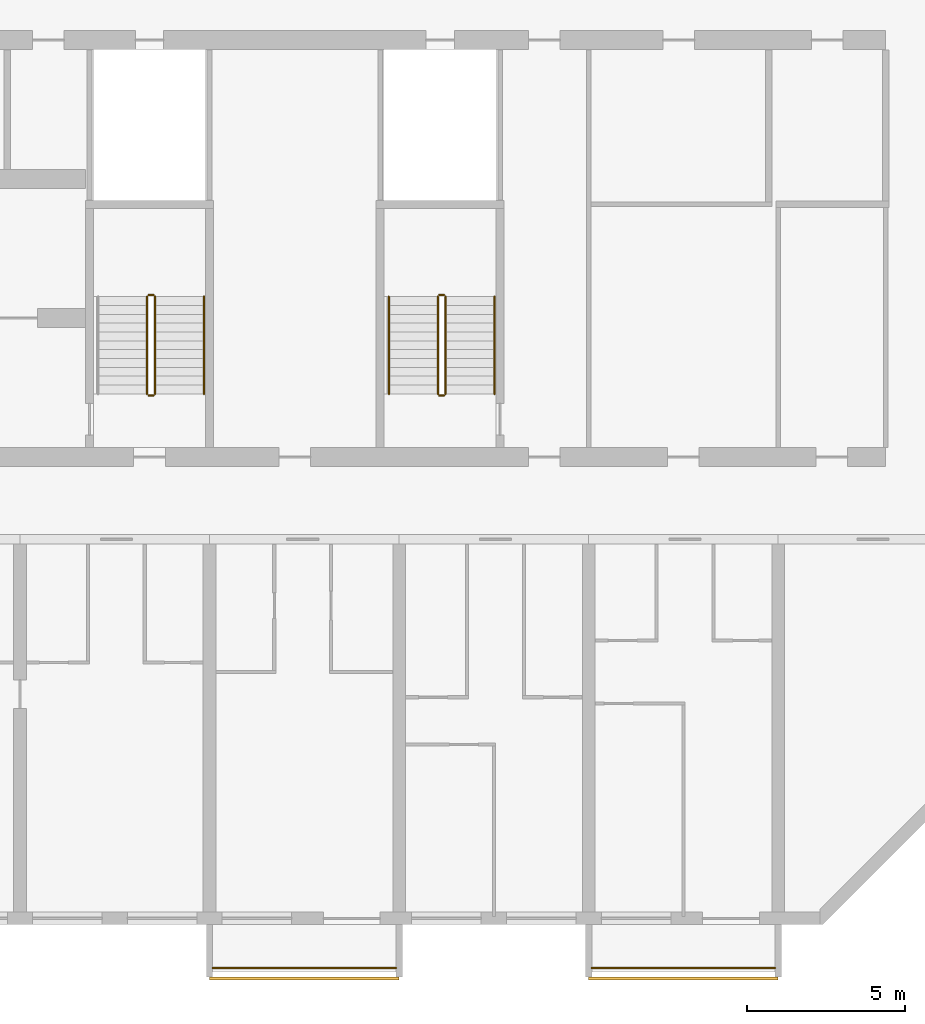
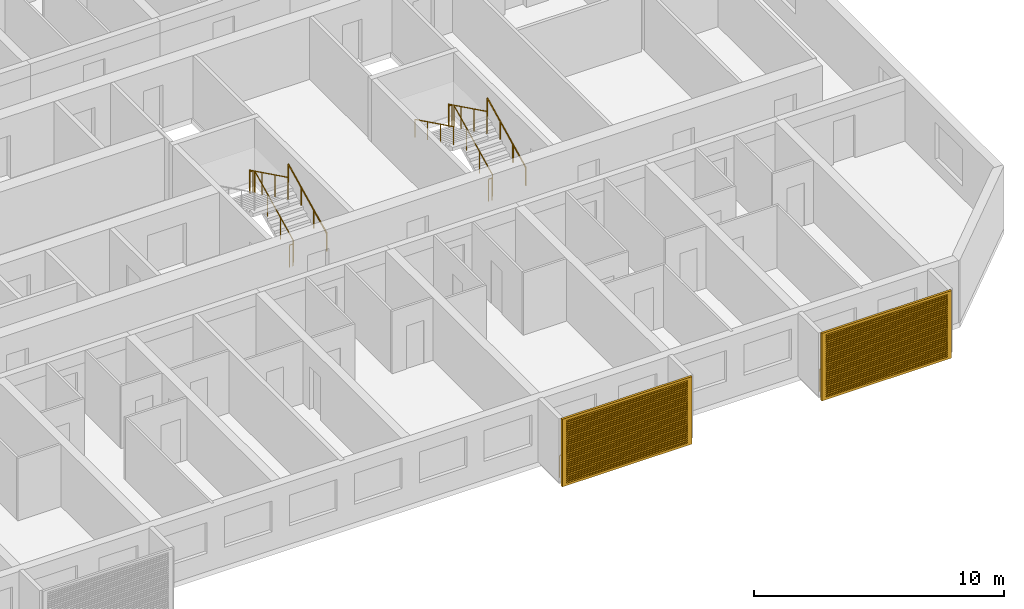
# One storey, part 35 of 39: 13 railings, 2 shading devices.
"""IFC4 building model written with IfcOpenShell, lengths in metres."""

from ifc_helpers import new_model, si_unit, direction, frame, origin, origin_2d, place, context, subcontext, project, spatial, polyline, circle, outline, extrude, source, transform, mapped, material, material_profile, profile_set, type_object, element, save


model = new_model("IFC4")

# Units and contexts
model_context = context("Model", 3, precision=1e-05, world=origin(), true_north=direction((0.0, 1.0)))
body_context = subcontext(model_context, "Body", "Model", "MODEL_VIEW")
ifc_project = project(units=[si_unit("LENGTHUNIT", "METRE"), si_unit("AREAUNIT", "SQUARE_METRE"), si_unit("VOLUMEUNIT", "CUBIC_METRE"), si_unit("PLANEANGLEUNIT", "RADIAN"), si_unit("MASSUNIT", "GRAM", prefix="KILO")], contexts=[model_context])

# Site, building, storey
site_placement = place(None, origin())
site = spatial("IfcSite", under=ifc_project, at=site_placement, CompositionType="ELEMENT")
building_placement = place(site_placement, origin())
building = spatial("IfcBuilding", under=site, at=building_placement, Name="Poui Terraces", CompositionType="ELEMENT")
storey_placement = place(building_placement, frame((0.0, 0.0, 59.699951171875)))
storey = spatial("IfcBuildingStorey", under=building, at=storey_placement, Name="L16", CompositionType="ELEMENT", Elevation=59.699951171875)

# Railings
ifc_material_1 = material(Name="Painted steel fretwork", Category="steel")
railing_type_1 = type_object("IfcRailingType", Name="BALCONY GUARD 1100", PredefinedType="GUARDRAIL", material=ifc_material_1)
for number, where, name in (
    (1, (72.10009765625, -1.570068359375, 0.0), "BALCONY GUARD"),
    (2, (84.10009765625, -1.570068359375, 0.0), "BALCONY GUARD"),
):
    element("IfcRailing", number, at=place(storey_placement, frame(where)), inside=storey, type_object=railing_type_1, Name=name, PredefinedType="GUARDRAIL", context=body_context, shape_type="SweptSolid", body=[
        extrude(circle(Radius=0.02392578125, at=origin_2d()), frame((0.0, 0.0, 1.076171875), z_axis=(1.0, 0.0, 0.0), x_axis=(0.0, 1.0, 0.0)), (0.0, 0.0, 1.0), 5.7998046875),
        extrude(circle(Radius=0.02099609375, at=origin_2d()), origin(), (0.0, 0.0, 1.0), 1.052001953125),
        extrude(circle(Radius=0.02099609375, at=origin_2d()), frame((0.966552734375, 0.0, 0.0)), (0.0, 0.0, 1.0), 1.052001953125),
        extrude(circle(Radius=0.02099609375, at=origin_2d()), frame((1.933349609375, 0.0, 0.0)), (0.0, 0.0, 1.0), 1.052001953125),
        extrude(circle(Radius=0.02099609375, at=origin_2d()), frame((2.89990234375, 0.0, 0.0)), (0.0, 0.0, 1.0), 1.052001953125),
        extrude(circle(Radius=0.02099609375, at=origin_2d()), frame((3.866455078125, 0.0, 0.0)), (0.0, 0.0, 1.0), 1.052001953125),
        extrude(circle(Radius=0.02099609375, at=origin_2d()), frame((4.833251953125, 0.0, 0.0)), (0.0, 0.0, 1.0), 1.052001953125),
        extrude(circle(Radius=0.02099609375, at=origin_2d()), frame((5.7998046875, 0.0, 0.0)), (0.0, 0.0, 1.0), 1.052001953125),
    ])
ifc_material_2 = material(Name="Galvanised steel balustrade", Category="steel")
railing_type_2 = type_object("IfcRailingType", Name="STAIR GUARD 1100", PredefinedType="GUARDRAIL", material=ifc_material_2)
railing_1_placement = place(storey_placement, frame((70.27490234375, 16.60009765625, 0.137451171875)))
element("IfcRailing", 3, at=railing_1_placement, inside=storey, type_object=railing_type_2, Name="L16 ST-CE stair guard 1", PredefinedType="GUARDRAIL", context=body_context, shape_type="SweptSolid", body=[
    extrude(circle(Radius=0.02392578125, at=origin_2d()), frame((0.0, 0.0, 1.076171875), z_axis=(0.0, 0.897578036475, 0.440855609512), x_axis=(-1.0, 0.0, 0.0)), (0.0, 0.0, 1.0), 3.43115234375),
    extrude(circle(Radius=0.02099609375, at=origin_2d()), origin(), (0.0, 0.0, 1.0), 1.052001953125),
    extrude(circle(Radius=0.02099609375, at=origin_2d()), frame((0.0, 1.026611328125, 0.504150390625)), (0.0, 0.0, 1.0), 1.052001953125),
    extrude(circle(Radius=0.02099609375, at=origin_2d()), frame((0.0, 2.05322265625, 1.008544921875)), (0.0, 0.0, 1.0), 1.052001953125),
    extrude(circle(Radius=0.02099609375, at=origin_2d()), frame((0.0, 3.079833984375, 1.5126953125)), (0.0, 0.0, 1.0), 1.052001953125),
])
railing_2_placement = place(storey_placement, frame((70.22509765625, 19.72998046875, 1.650146484375)))
element("IfcRailing", 4, at=railing_2_placement, inside=storey, type_object=railing_type_2, Name="L16 ST-CE stair guard 2", PredefinedType="GUARDRAIL", context=body_context, shape_type="SweptSolid", body=[
    extrude(circle(Radius=0.02392578125, at=origin_2d()), frame((0.0, 0.0, 1.076171875), z_axis=(-1.0, 0.0, 0.0), x_axis=(0.0, -1.0, 0.0)), (0.0, 0.0, 1.0), 0.150146484375),
    extrude(circle(Radius=0.02099609375, at=origin_2d()), origin(), (0.0, 0.0, 1.0), 1.052001953125),
    extrude(circle(Radius=0.02099609375, at=origin_2d()), frame((-0.150146484375, 0.0, 0.0)), (0.0, 0.0, 1.0), 1.052001953125),
])
railing_3_placement = place(storey_placement, frame((70.02490234375, 19.679931640625, 1.78759765625)))
element("IfcRailing", 5, at=railing_3_placement, inside=storey, type_object=railing_type_2, Name="L16 ST-CE stair guard 3", PredefinedType="GUARDRAIL", context=body_context, shape_type="SweptSolid", body=[
    extrude(circle(Radius=0.02392578125, at=origin_2d()), frame((0.0, 0.0, 1.076171875), z_axis=(0.0, -0.897606190399, 0.440798283751), x_axis=(1.0, 0.0, 0.0)), (0.0, 0.0, 1.0), 3.43115234375),
    extrude(circle(Radius=0.02099609375, at=origin_2d()), origin(), (0.0, 0.0, 1.0), 1.052001953125),
    extrude(circle(Radius=0.02099609375, at=origin_2d()), frame((0.0, -1.026611328125, 0.504150390625)), (0.0, 0.0, 1.0), 1.052001953125),
    extrude(circle(Radius=0.02099609375, at=origin_2d()), frame((0.0, -2.05322265625, 1.00830078125)), (0.0, 0.0, 1.0), 1.052001953125),
    extrude(circle(Radius=0.02099609375, at=origin_2d()), frame((0.0, -3.079833984375, 1.512451171875)), (0.0, 0.0, 1.0), 1.052001953125),
])
railing_4_placement = place(storey_placement, frame((70.22509765625, 16.550048828125, 0.0)))
element("IfcRailing", 6, at=railing_4_placement, inside=storey, type_object=railing_type_2, Name="L16 ST-CE stair guard 4", PredefinedType="GUARDRAIL", context=body_context, shape_type="SweptSolid", body=[
    extrude(circle(Radius=0.02392578125, at=origin_2d()), frame((0.0, 0.0, 1.076171875), z_axis=(-1.0, 0.0, 0.0), x_axis=(0.0, -1.0, 0.0)), (0.0, 0.0, 1.0), 0.150146484375),
    extrude(circle(Radius=0.02099609375, at=origin_2d()), origin(), (0.0, 0.0, 1.0), 1.052001953125),
    extrude(circle(Radius=0.02099609375, at=origin_2d()), frame((-0.150146484375, 0.0, 0.0)), (0.0, 0.0, 1.0), 1.052001953125),
])
railing_5_placement = place(storey_placement, frame((79.47509765625, 16.60009765625, 0.137451171875)))
element("IfcRailing", 7, at=railing_5_placement, inside=storey, type_object=railing_type_2, Name="L16 ST-E stair guard 1", PredefinedType="GUARDRAIL", context=body_context, shape_type="SweptSolid", body=[
    extrude(circle(Radius=0.02392578125, at=origin_2d()), frame((0.0, 0.0, 1.076171875), z_axis=(0.0, 0.897578036475, 0.440855609512), x_axis=(-1.0, 0.0, 0.0)), (0.0, 0.0, 1.0), 3.43115234375),
    extrude(circle(Radius=0.02099609375, at=origin_2d()), origin(), (0.0, 0.0, 1.0), 1.052001953125),
    extrude(circle(Radius=0.02099609375, at=origin_2d()), frame((0.0, 1.026611328125, 0.504150390625)), (0.0, 0.0, 1.0), 1.052001953125),
    extrude(circle(Radius=0.02099609375, at=origin_2d()), frame((0.0, 2.05322265625, 1.008544921875)), (0.0, 0.0, 1.0), 1.052001953125),
    extrude(circle(Radius=0.02099609375, at=origin_2d()), frame((0.0, 3.079833984375, 1.5126953125)), (0.0, 0.0, 1.0), 1.052001953125),
])
railing_6_placement = place(storey_placement, frame((79.425048828125, 19.72998046875, 1.650146484375)))
element("IfcRailing", 8, at=railing_6_placement, inside=storey, type_object=railing_type_2, Name="L16 ST-E stair guard 2", PredefinedType="GUARDRAIL", context=body_context, shape_type="SweptSolid", body=[
    extrude(circle(Radius=0.02392578125, at=origin_2d()), frame((0.0, 0.0, 1.076171875), z_axis=(-1.0, 0.0, 0.0), x_axis=(0.0, -1.0, 0.0)), (0.0, 0.0, 1.0), 0.150146484375),
    extrude(circle(Radius=0.02099609375, at=origin_2d()), origin(), (0.0, 0.0, 1.0), 1.052001953125),
    extrude(circle(Radius=0.02099609375, at=origin_2d()), frame((-0.150146484375, 0.0, 0.0)), (0.0, 0.0, 1.0), 1.052001953125),
])
railing_7_placement = place(storey_placement, frame((79.22509765625, 19.679931640625, 1.78759765625)))
element("IfcRailing", 9, at=railing_7_placement, inside=storey, type_object=railing_type_2, Name="L16 ST-E stair guard 3", PredefinedType="GUARDRAIL", context=body_context, shape_type="SweptSolid", body=[
    extrude(circle(Radius=0.02392578125, at=origin_2d()), frame((0.0, 0.0, 1.076171875), z_axis=(0.0, -0.897606190399, 0.440798283751), x_axis=(1.0, 0.0, 0.0)), (0.0, 0.0, 1.0), 3.43115234375),
    extrude(circle(Radius=0.02099609375, at=origin_2d()), origin(), (0.0, 0.0, 1.0), 1.052001953125),
    extrude(circle(Radius=0.02099609375, at=origin_2d()), frame((0.0, -1.026611328125, 0.504150390625)), (0.0, 0.0, 1.0), 1.052001953125),
    extrude(circle(Radius=0.02099609375, at=origin_2d()), frame((0.0, -2.05322265625, 1.00830078125)), (0.0, 0.0, 1.0), 1.052001953125),
    extrude(circle(Radius=0.02099609375, at=origin_2d()), frame((0.0, -3.079833984375, 1.512451171875)), (0.0, 0.0, 1.0), 1.052001953125),
])
railing_8_placement = place(storey_placement, frame((79.425048828125, 16.550048828125, 0.0)))
element("IfcRailing", 10, at=railing_8_placement, inside=storey, type_object=railing_type_2, Name="L16 ST-E stair guard 4", PredefinedType="GUARDRAIL", context=body_context, shape_type="SweptSolid", body=[
    extrude(circle(Radius=0.02392578125, at=origin_2d()), frame((0.0, 0.0, 1.076171875), z_axis=(-1.0, 0.0, 0.0), x_axis=(0.0, -1.0, 0.0)), (0.0, 0.0, 1.0), 0.150146484375),
    extrude(circle(Radius=0.02099609375, at=origin_2d()), origin(), (0.0, 0.0, 1.0), 1.052001953125),
    extrude(circle(Radius=0.02099609375, at=origin_2d()), frame((-0.150146484375, 0.0, 0.0)), (0.0, 0.0, 1.0), 1.052001953125),
])
ifc_material_3 = material(Name="Stainless steel handrail", Category="steel")
railing_type_3 = type_object("IfcRailingType", Name="STAIR HANDRAIL 900", PredefinedType="HANDRAIL", material=ifc_material_3)
for number, where, name in (
    (11, (71.824951171875, 16.60009765625, 0.137451171875), "L16 ST-CE stair handrail 1"),
    (12, (81.02490234375, 16.60009765625, 0.137451171875), "L16 ST-E stair handrail 1"),
):
    element("IfcRailing", number, at=place(storey_placement, frame(where)), inside=storey, type_object=railing_type_3, Name=name, PredefinedType="HANDRAIL", context=body_context, shape_type="SweptSolid", body=[
        extrude(circle(Radius=0.02392578125, at=origin_2d()), frame((0.0, 0.0, 0.8759765625), z_axis=(0.0, 0.897578036475, 0.440855609512), x_axis=(-1.0, 0.0, 0.0)), (0.0, 0.0, 1.0), 3.43115234375),
        extrude(circle(Radius=0.02099609375, at=origin_2d()), origin(), (0.0, 0.0, 1.0), 0.851806640625),
        extrude(circle(Radius=0.02099609375, at=origin_2d()), frame((0.0, 1.026611328125, 0.504150390625)), (0.0, 0.0, 1.0), 0.851806640625),
        extrude(circle(Radius=0.02099609375, at=origin_2d()), frame((0.0, 2.05322265625, 1.008544921875)), (0.0, 0.0, 1.0), 0.851806640625),
        extrude(circle(Radius=0.02099609375, at=origin_2d()), frame((0.0, 3.079833984375, 1.5126953125)), (0.0, 0.0, 1.0), 0.851806640625),
    ])
railing_9_placement = place(storey_placement, frame((77.675048828125, 19.679931640625, 1.78759765625)))
element("IfcRailing", 13, at=railing_9_placement, inside=storey, type_object=railing_type_3, Name="L16 ST-E stair handrail 2", PredefinedType="HANDRAIL", context=body_context, shape_type="SweptSolid", body=[
    extrude(circle(Radius=0.02392578125, at=origin_2d()), frame((0.0, 0.0, 0.8759765625), z_axis=(0.0, -0.897606190399, 0.440798283751), x_axis=(1.0, 0.0, 0.0)), (0.0, 0.0, 1.0), 3.43115234375),
    extrude(circle(Radius=0.02099609375, at=origin_2d()), origin(), (0.0, 0.0, 1.0), 0.851806640625),
    extrude(circle(Radius=0.02099609375, at=origin_2d()), frame((0.0, -1.026611328125, 0.504150390625)), (0.0, 0.0, 1.0), 0.851806640625),
    extrude(circle(Radius=0.02099609375, at=origin_2d()), frame((0.0, -2.05322265625, 1.00830078125)), (0.0, 0.0, 1.0), 0.851806640625),
    extrude(circle(Radius=0.02099609375, at=origin_2d()), frame((0.0, -3.079833984375, 1.512451171875)), (0.0, 0.0, 1.0), 0.851806640625),
])

# Shading devices
ifc_material_4 = material(Name="Aluminium louvre", Category="aluminium")
ifc_material_profile = material_profile(ifc_material_4, outline(polyline([(-3.0, -1.64990234375), (3.0, -1.64990234375), (3.0, 1.64990234375), (-3.0, 1.64990234375), (-3.0, -1.64990234375)]), holes=[polyline([(-2.800048828125, -1.530029296875), (2.800048828125, -1.530029296875), (2.800048828125, -1.469970703125), (-2.800048828125, -1.469970703125), (-2.800048828125, -1.530029296875)]), polyline([(-2.800048828125, -1.429931640625), (2.800048828125, -1.429931640625), (2.800048828125, -1.3701171875), (-2.800048828125, -1.3701171875), (-2.800048828125, -1.429931640625)]), polyline([(-2.800048828125, -1.330078125), (2.800048828125, -1.330078125), (2.800048828125, -1.27001953125), (-2.800048828125, -1.27001953125), (-2.800048828125, -1.330078125)]), polyline([(-2.800048828125, -1.22998046875), (2.800048828125, -1.22998046875), (2.800048828125, -1.169921875), (-2.800048828125, -1.169921875), (-2.800048828125, -1.22998046875)]), polyline([(-2.800048828125, -1.1298828125), (2.800048828125, -1.1298828125), (2.800048828125, -1.070068359375), (-2.800048828125, -1.070068359375), (-2.800048828125, -1.1298828125)]), polyline([(-2.800048828125, -1.030029296875), (2.800048828125, -1.030029296875), (2.800048828125, -0.969970703125), (-2.800048828125, -0.969970703125), (-2.800048828125, -1.030029296875)]), polyline([(-2.800048828125, -0.929931640625), (2.800048828125, -0.929931640625), (2.800048828125, -0.8701171875), (-2.800048828125, -0.8701171875), (-2.800048828125, -0.929931640625)]), polyline([(-2.800048828125, -0.830078125), (2.800048828125, -0.830078125), (2.800048828125, -0.77001953125), (-2.800048828125, -0.77001953125), (-2.800048828125, -0.830078125)]), polyline([(-2.800048828125, -0.72998046875), (2.800048828125, -0.72998046875), (2.800048828125, -0.669921875), (-2.800048828125, -0.669921875), (-2.800048828125, -0.72998046875)]), polyline([(-2.800048828125, -0.6298828125), (2.800048828125, -0.6298828125), (2.800048828125, -0.570068359375), (-2.800048828125, -0.570068359375), (-2.800048828125, -0.6298828125)]), polyline([(-2.800048828125, -0.530029296875), (2.800048828125, -0.530029296875), (2.800048828125, -0.469970703125), (-2.800048828125, -0.469970703125), (-2.800048828125, -0.530029296875)]), polyline([(-2.800048828125, -0.429931640625), (2.800048828125, -0.429931640625), (2.800048828125, -0.3701171875), (-2.800048828125, -0.3701171875), (-2.800048828125, -0.429931640625)]), polyline([(-2.800048828125, -0.330078125), (2.800048828125, -0.330078125), (2.800048828125, -0.27001953125), (-2.800048828125, -0.27001953125), (-2.800048828125, -0.330078125)]), polyline([(-2.800048828125, -0.22998046875), (2.800048828125, -0.22998046875), (2.800048828125, -0.169921875), (-2.800048828125, -0.169921875), (-2.800048828125, -0.22998046875)]), polyline([(-2.800048828125, -0.1298828125), (2.800048828125, -0.1298828125), (2.800048828125, -0.070068359375), (-2.800048828125, -0.070068359375), (-2.800048828125, -0.1298828125)]), polyline([(-2.800048828125, -0.030029296875), (2.800048828125, -0.030029296875), (2.800048828125, 0.030029296875), (-2.800048828125, 0.030029296875), (-2.800048828125, -0.030029296875)]), polyline([(-2.800048828125, 0.070068359375), (2.800048828125, 0.070068359375), (2.800048828125, 0.1298828125), (-2.800048828125, 0.1298828125), (-2.800048828125, 0.070068359375)]), polyline([(-2.800048828125, 0.169921875), (2.800048828125, 0.169921875), (2.800048828125, 0.22998046875), (-2.800048828125, 0.22998046875), (-2.800048828125, 0.169921875)]), polyline([(-2.800048828125, 0.27001953125), (2.800048828125, 0.27001953125), (2.800048828125, 0.330078125), (-2.800048828125, 0.330078125), (-2.800048828125, 0.27001953125)]), polyline([(-2.800048828125, 0.3701171875), (2.800048828125, 0.3701171875), (2.800048828125, 0.429931640625), (-2.800048828125, 0.429931640625), (-2.800048828125, 0.3701171875)]), polyline([(-2.800048828125, 0.469970703125), (2.800048828125, 0.469970703125), (2.800048828125, 0.530029296875), (-2.800048828125, 0.530029296875), (-2.800048828125, 0.469970703125)]), polyline([(-2.800048828125, 0.570068359375), (2.800048828125, 0.570068359375), (2.800048828125, 0.6298828125), (-2.800048828125, 0.6298828125), (-2.800048828125, 0.570068359375)]), polyline([(-2.800048828125, 0.669921875), (2.800048828125, 0.669921875), (2.800048828125, 0.72998046875), (-2.800048828125, 0.72998046875), (-2.800048828125, 0.669921875)]), polyline([(-2.800048828125, 0.77001953125), (2.800048828125, 0.77001953125), (2.800048828125, 0.830078125), (-2.800048828125, 0.830078125), (-2.800048828125, 0.77001953125)]), polyline([(-2.800048828125, 0.8701171875), (2.800048828125, 0.8701171875), (2.800048828125, 0.929931640625), (-2.800048828125, 0.929931640625), (-2.800048828125, 0.8701171875)]), polyline([(-2.800048828125, 0.969970703125), (2.800048828125, 0.969970703125), (2.800048828125, 1.030029296875), (-2.800048828125, 1.030029296875), (-2.800048828125, 0.969970703125)]), polyline([(-2.800048828125, 1.070068359375), (2.800048828125, 1.070068359375), (2.800048828125, 1.1298828125), (-2.800048828125, 1.1298828125), (-2.800048828125, 1.070068359375)]), polyline([(-2.800048828125, 1.169921875), (2.800048828125, 1.169921875), (2.800048828125, 1.22998046875), (-2.800048828125, 1.22998046875), (-2.800048828125, 1.169921875)]), polyline([(-2.800048828125, 1.27001953125), (2.800048828125, 1.27001953125), (2.800048828125, 1.330078125), (-2.800048828125, 1.330078125), (-2.800048828125, 1.27001953125)]), polyline([(-2.800048828125, 1.3701171875), (2.800048828125, 1.3701171875), (2.800048828125, 1.429931640625), (-2.800048828125, 1.429931640625), (-2.800048828125, 1.3701171875)]), polyline([(-2.800048828125, 1.469970703125), (2.800048828125, 1.469970703125), (2.800048828125, 1.530029296875), (-2.800048828125, 1.530029296875), (-2.800048828125, 1.469970703125)])]), Name="JALOUSIE LOUVRE SHUTTER 6000X3300")
ifc_profile_set = profile_set([ifc_material_profile], Name="Aluminium louvre")
shading_device_type = type_object("IfcShadingDeviceType", Name="JALOUSIE LOUVRE SHUTTER 6000X3300", PredefinedType="JALOUSIE", material=ifc_profile_set)
shared_shape = source(origin(), body_context, "Body", "SweptSolid", [
    extrude(outline(polyline([(-3.0, -1.64990234375), (3.0, -1.64990234375), (3.0, 1.64990234375), (-3.0, 1.64990234375), (-3.0, -1.64990234375)]), holes=[polyline([(-2.800048828125, -1.530029296875), (2.800048828125, -1.530029296875), (2.800048828125, -1.469970703125), (-2.800048828125, -1.469970703125), (-2.800048828125, -1.530029296875)]), polyline([(-2.800048828125, -1.429931640625), (2.800048828125, -1.429931640625), (2.800048828125, -1.3701171875), (-2.800048828125, -1.3701171875), (-2.800048828125, -1.429931640625)]), polyline([(-2.800048828125, -1.330078125), (2.800048828125, -1.330078125), (2.800048828125, -1.27001953125), (-2.800048828125, -1.27001953125), (-2.800048828125, -1.330078125)]), polyline([(-2.800048828125, -1.22998046875), (2.800048828125, -1.22998046875), (2.800048828125, -1.169921875), (-2.800048828125, -1.169921875), (-2.800048828125, -1.22998046875)]), polyline([(-2.800048828125, -1.1298828125), (2.800048828125, -1.1298828125), (2.800048828125, -1.070068359375), (-2.800048828125, -1.070068359375), (-2.800048828125, -1.1298828125)]), polyline([(-2.800048828125, -1.030029296875), (2.800048828125, -1.030029296875), (2.800048828125, -0.969970703125), (-2.800048828125, -0.969970703125), (-2.800048828125, -1.030029296875)]), polyline([(-2.800048828125, -0.929931640625), (2.800048828125, -0.929931640625), (2.800048828125, -0.8701171875), (-2.800048828125, -0.8701171875), (-2.800048828125, -0.929931640625)]), polyline([(-2.800048828125, -0.830078125), (2.800048828125, -0.830078125), (2.800048828125, -0.77001953125), (-2.800048828125, -0.77001953125), (-2.800048828125, -0.830078125)]), polyline([(-2.800048828125, -0.72998046875), (2.800048828125, -0.72998046875), (2.800048828125, -0.669921875), (-2.800048828125, -0.669921875), (-2.800048828125, -0.72998046875)]), polyline([(-2.800048828125, -0.6298828125), (2.800048828125, -0.6298828125), (2.800048828125, -0.570068359375), (-2.800048828125, -0.570068359375), (-2.800048828125, -0.6298828125)]), polyline([(-2.800048828125, -0.530029296875), (2.800048828125, -0.530029296875), (2.800048828125, -0.469970703125), (-2.800048828125, -0.469970703125), (-2.800048828125, -0.530029296875)]), polyline([(-2.800048828125, -0.429931640625), (2.800048828125, -0.429931640625), (2.800048828125, -0.3701171875), (-2.800048828125, -0.3701171875), (-2.800048828125, -0.429931640625)]), polyline([(-2.800048828125, -0.330078125), (2.800048828125, -0.330078125), (2.800048828125, -0.27001953125), (-2.800048828125, -0.27001953125), (-2.800048828125, -0.330078125)]), polyline([(-2.800048828125, -0.22998046875), (2.800048828125, -0.22998046875), (2.800048828125, -0.169921875), (-2.800048828125, -0.169921875), (-2.800048828125, -0.22998046875)]), polyline([(-2.800048828125, -0.1298828125), (2.800048828125, -0.1298828125), (2.800048828125, -0.070068359375), (-2.800048828125, -0.070068359375), (-2.800048828125, -0.1298828125)]), polyline([(-2.800048828125, -0.030029296875), (2.800048828125, -0.030029296875), (2.800048828125, 0.030029296875), (-2.800048828125, 0.030029296875), (-2.800048828125, -0.030029296875)]), polyline([(-2.800048828125, 0.070068359375), (2.800048828125, 0.070068359375), (2.800048828125, 0.1298828125), (-2.800048828125, 0.1298828125), (-2.800048828125, 0.070068359375)]), polyline([(-2.800048828125, 0.169921875), (2.800048828125, 0.169921875), (2.800048828125, 0.22998046875), (-2.800048828125, 0.22998046875), (-2.800048828125, 0.169921875)]), polyline([(-2.800048828125, 0.27001953125), (2.800048828125, 0.27001953125), (2.800048828125, 0.330078125), (-2.800048828125, 0.330078125), (-2.800048828125, 0.27001953125)]), polyline([(-2.800048828125, 0.3701171875), (2.800048828125, 0.3701171875), (2.800048828125, 0.429931640625), (-2.800048828125, 0.429931640625), (-2.800048828125, 0.3701171875)]), polyline([(-2.800048828125, 0.469970703125), (2.800048828125, 0.469970703125), (2.800048828125, 0.530029296875), (-2.800048828125, 0.530029296875), (-2.800048828125, 0.469970703125)]), polyline([(-2.800048828125, 0.570068359375), (2.800048828125, 0.570068359375), (2.800048828125, 0.6298828125), (-2.800048828125, 0.6298828125), (-2.800048828125, 0.570068359375)]), polyline([(-2.800048828125, 0.669921875), (2.800048828125, 0.669921875), (2.800048828125, 0.72998046875), (-2.800048828125, 0.72998046875), (-2.800048828125, 0.669921875)]), polyline([(-2.800048828125, 0.77001953125), (2.800048828125, 0.77001953125), (2.800048828125, 0.830078125), (-2.800048828125, 0.830078125), (-2.800048828125, 0.77001953125)]), polyline([(-2.800048828125, 0.8701171875), (2.800048828125, 0.8701171875), (2.800048828125, 0.929931640625), (-2.800048828125, 0.929931640625), (-2.800048828125, 0.8701171875)]), polyline([(-2.800048828125, 0.969970703125), (2.800048828125, 0.969970703125), (2.800048828125, 1.030029296875), (-2.800048828125, 1.030029296875), (-2.800048828125, 0.969970703125)]), polyline([(-2.800048828125, 1.070068359375), (2.800048828125, 1.070068359375), (2.800048828125, 1.1298828125), (-2.800048828125, 1.1298828125), (-2.800048828125, 1.070068359375)]), polyline([(-2.800048828125, 1.169921875), (2.800048828125, 1.169921875), (2.800048828125, 1.22998046875), (-2.800048828125, 1.22998046875), (-2.800048828125, 1.169921875)]), polyline([(-2.800048828125, 1.27001953125), (2.800048828125, 1.27001953125), (2.800048828125, 1.330078125), (-2.800048828125, 1.330078125), (-2.800048828125, 1.27001953125)]), polyline([(-2.800048828125, 1.3701171875), (2.800048828125, 1.3701171875), (2.800048828125, 1.429931640625), (-2.800048828125, 1.429931640625), (-2.800048828125, 1.3701171875)]), polyline([(-2.800048828125, 1.469970703125), (2.800048828125, 1.469970703125), (2.800048828125, 1.530029296875), (-2.800048828125, 1.530029296875), (-2.800048828125, 1.469970703125)])]), origin(), (0.0, 0.0, 1.0), 0.099853515625),
])
for number, where, z_axis, x_axis, name in (
    (14, (75.0, -1.85009765625, 1.449951171875), (0.0, -1.0, 0.0), (1.0, 0.0, 0.0), "JALOUSIE LOUVRE SHUTTER"),
    (15, (87.0, -1.85009765625, 1.449951171875), (0.0, -1.0, 0.0), (1.0, 0.0, 0.0), "JALOUSIE LOUVRE SHUTTER"),
):
    element("IfcShadingDevice", number, at=place(storey_placement, frame(where, z_axis=z_axis, x_axis=x_axis)), inside=storey, type_object=shading_device_type, Name=name, PredefinedType="JALOUSIE", context=body_context, shape_type="MappedRepresentation", body=[
        mapped(shared_shape, transform((0.0, 0.0, 0.0))),
    ])

save(model, "model.ifc")
